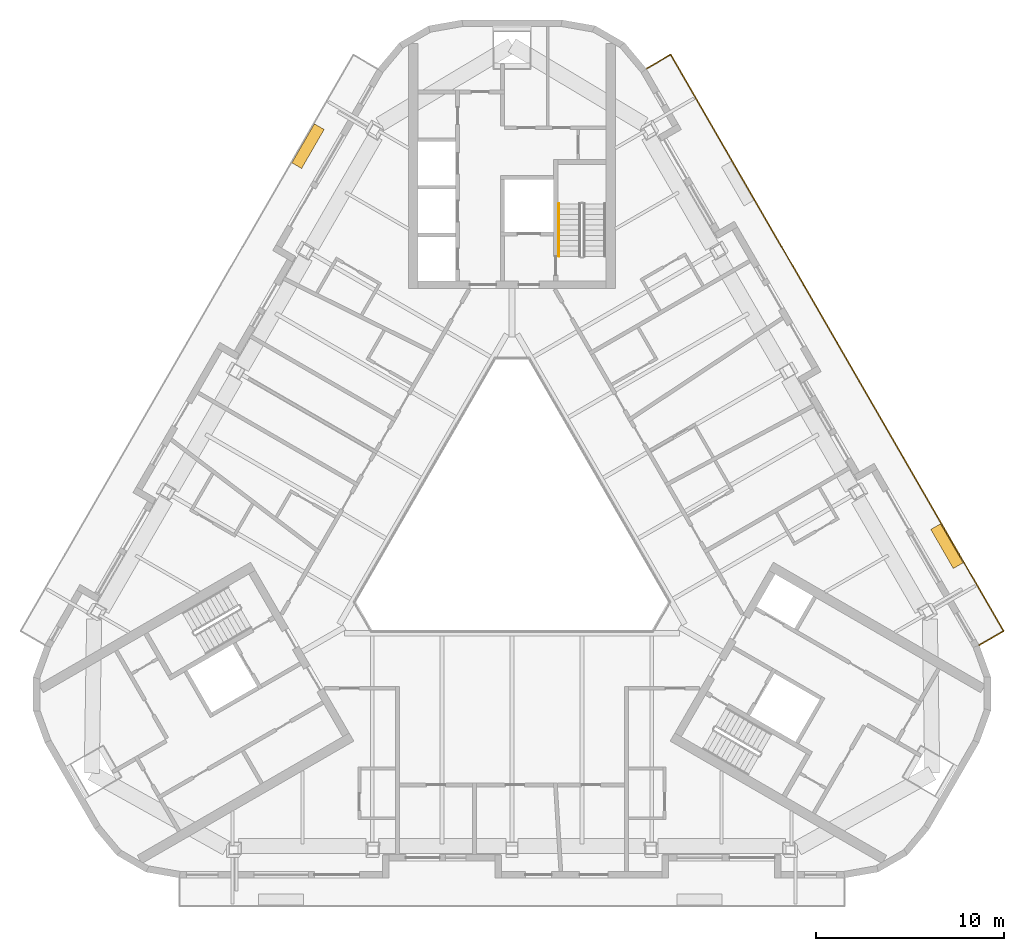
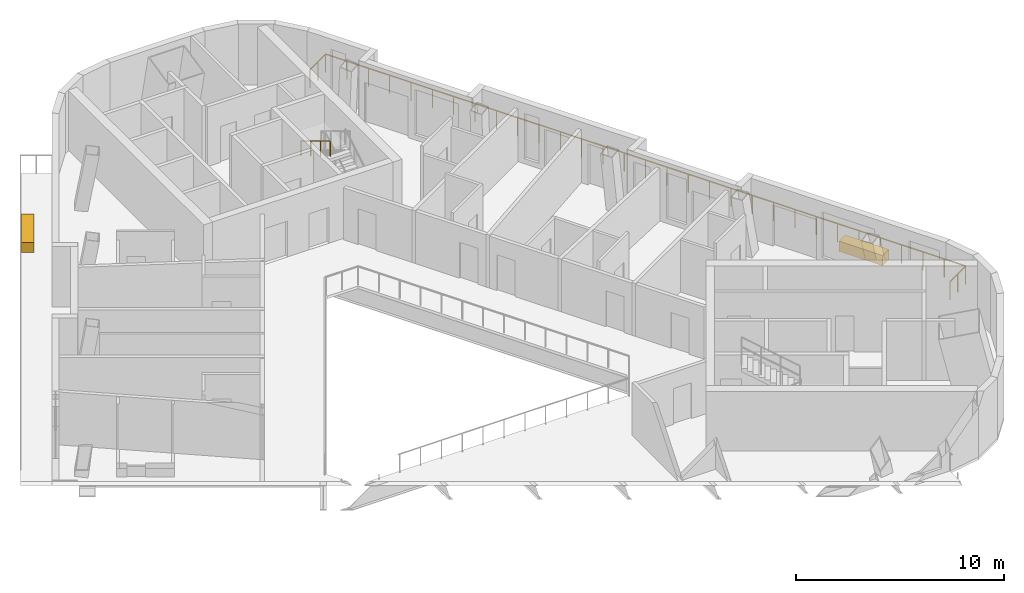
# One storey, part 12 of 13: 2 coverings, 2 railings.
"""IFC4 building model written with IfcOpenShell, lengths in metres."""

from ifc_helpers import new_model, si_unit, direction, frame, origin, origin_2d, place, context, subcontext, project, spatial, rectangle, circle, extrude, material, type_object, element, save


model = new_model("IFC4")

# Units and contexts
model_context = context("Model", 3, precision=1e-05, world=origin(), true_north=direction((0.0, 1.0)))
body_context = subcontext(model_context, "Body", "Model", "MODEL_VIEW")
ifc_project = project(units=[si_unit("LENGTHUNIT", "METRE"), si_unit("AREAUNIT", "SQUARE_METRE"), si_unit("VOLUMEUNIT", "CUBIC_METRE"), si_unit("PLANEANGLEUNIT", "RADIAN"), si_unit("MASSUNIT", "GRAM", prefix="KILO")], contexts=[model_context])

# Site, building, storey
site_placement = place(None, origin())
site = spatial("IfcSite", under=ifc_project, at=site_placement, CompositionType="ELEMENT")
building_placement = place(site_placement, origin())
building = spatial("IfcBuilding", under=site, at=building_placement, Name="Apuvela Tower Hotel", CompositionType="ELEMENT")
storey_placement = place(building_placement, frame((0.0, 0.0, 276.300048828125)))
storey = spatial("IfcBuildingStorey", under=building, at=storey_placement, Name="L68", CompositionType="ELEMENT", Elevation=276.300048828125)

# Railings
ifc_material_1 = material(Name="Stainless steel 316 handrail", Category="steel")
railing_type_1 = type_object("IfcRailingType", Name="COR-HANDRAIL-900", PredefinedType="HANDRAIL", material=ifc_material_1)
railing_1_placement = place(storey_placement, frame((2.5, 17.39990234375, 2.01806640625)))
element("IfcRailing", 1, at=railing_1_placement, inside=storey, type_object=railing_type_1, Name="L68 ST1 stair handrail 2", PredefinedType="HANDRAIL", context=body_context, shape_type="SweptSolid", body=[
    extrude(circle(Radius=0.02392578125, at=origin_2d()), frame((0.0, 0.0, 0.8759765625), z_axis=(0.0, -0.857222391501, 0.514946377315), x_axis=(1.0, 0.0, 0.0)), (0.0, 0.0, 1.0), 3.26611328125),
    extrude(rectangle(XDim=0.0419921875, YDim=0.0419921875, at=origin_2d()), origin(), (0.0, 0.0, 1.0), 0.851806640625),
    extrude(rectangle(XDim=0.0419921875, YDim=0.0419921875, at=origin_2d()), frame((0.0, -0.933349609375, 0.560546875)), (0.0, 0.0, 1.0), 0.851806640625),
    extrude(rectangle(XDim=0.0419921875, YDim=0.0419921875, at=origin_2d()), frame((0.0, -1.866455078125, 1.121337890625)), (0.0, 0.0, 1.0), 0.851806640625),
    extrude(rectangle(XDim=0.0419921875, YDim=0.0419921875, at=origin_2d()), frame((0.0, -2.7998046875, 1.681884765625)), (0.0, 0.0, 1.0), 0.851806640625),
])
ifc_material_2 = material(Name="Stainless steel 316 rail with laminated glass infill", Category="steel")
railing_type_2 = type_object("IfcRailingType", Name="ENV-GUARD-1100", PredefinedType="GUARDRAIL", material=ifc_material_2)
railing_2_placement = place(storey_placement, frame((24.882080078125, -6.105712890625, 0.0)))
element("IfcRailing", 2, at=railing_2_placement, inside=storey, type_object=railing_type_2, Name="Balcony guard NE L68", PredefinedType="GUARDRAIL", context=body_context, shape_type="SweptSolid", body=[
    extrude(rectangle(XDim=0.050048828125, YDim=0.050048828125, at=origin_2d()), frame((0.0, 0.0, 1.0751953125), z_axis=(0.866031096941, 0.499990139034, 0.0), x_axis=(-0.499990139034, 0.866031096941, 0.0)), (0.0, 0.0, 1.0), 1.5),
    extrude(rectangle(XDim=0.050048828125, YDim=0.050048828125, at=origin_2d()), frame((1.299072265625, 0.75, 1.0751953125), z_axis=(-0.500000994306, 0.866024829721, 0.0), x_axis=(-0.866024829721, -0.500000994306, 0.0)), (0.0, 0.0, 1.0), 35.45751953125),
    extrude(rectangle(XDim=0.050048828125, YDim=0.050048828125, at=origin_2d()), frame((-16.4296875, 31.45703125, 1.0751953125), z_axis=(-0.86599040064, -0.500060622324, 0.0), x_axis=(0.500060622324, -0.86599040064, 0.0)), (0.0, 0.0, 1.0), 1.499755859375),
    extrude(rectangle(XDim=0.0400390625, YDim=0.0400390625, at=origin_2d()), origin(), (0.0, 0.0, 1.0), 1.050048828125),
    extrude(rectangle(XDim=0.0400390625, YDim=0.0400390625, at=origin_2d()), frame((0.6494140625, 0.375, 0.0)), (0.0, 0.0, 1.0), 1.050048828125),
    extrude(rectangle(XDim=0.0400390625, YDim=0.0400390625, at=origin_2d()), frame((1.299072265625, 0.75, 0.0)), (0.0, 0.0, 1.0), 1.050048828125),
    extrude(rectangle(XDim=0.0400390625, YDim=0.0400390625, at=origin_2d()), frame((0.7080078125, 1.773681640625, 0.0)), (0.0, 0.0, 1.0), 1.050048828125),
    extrude(rectangle(XDim=0.0400390625, YDim=0.0400390625, at=origin_2d()), frame((0.1171875, 2.797119140625, 0.0)), (0.0, 0.0, 1.0), 1.050048828125),
    extrude(rectangle(XDim=0.0400390625, YDim=0.0400390625, at=origin_2d()), frame((-0.473876953125, 3.82080078125, 0.0)), (0.0, 0.0, 1.0), 1.050048828125),
    extrude(rectangle(XDim=0.0400390625, YDim=0.0400390625, at=origin_2d()), frame((-1.064697265625, 4.84423828125, 0.0)), (0.0, 0.0, 1.0), 1.050048828125),
    extrude(rectangle(XDim=0.0400390625, YDim=0.0400390625, at=origin_2d()), frame((-1.65576171875, 5.867919921875, 0.0)), (0.0, 0.0, 1.0), 1.050048828125),
    extrude(rectangle(XDim=0.0400390625, YDim=0.0400390625, at=origin_2d()), frame((-2.24658203125, 6.891357421875, 0.0)), (0.0, 0.0, 1.0), 1.050048828125),
    extrude(rectangle(XDim=0.0400390625, YDim=0.0400390625, at=origin_2d()), frame((-2.837646484375, 7.9150390625, 0.0)), (0.0, 0.0, 1.0), 1.050048828125),
    extrude(rectangle(XDim=0.0400390625, YDim=0.0400390625, at=origin_2d()), frame((-3.4287109375, 8.9384765625, 0.0)), (0.0, 0.0, 1.0), 1.050048828125),
    extrude(rectangle(XDim=0.0400390625, YDim=0.0400390625, at=origin_2d()), frame((-4.01953125, 9.962158203125, 0.0)), (0.0, 0.0, 1.0), 1.050048828125),
    extrude(rectangle(XDim=0.0400390625, YDim=0.0400390625, at=origin_2d()), frame((-4.610595703125, 10.985595703125, 0.0)), (0.0, 0.0, 1.0), 1.050048828125),
    extrude(rectangle(XDim=0.0400390625, YDim=0.0400390625, at=origin_2d()), frame((-5.201416015625, 12.00927734375, 0.0)), (0.0, 0.0, 1.0), 1.050048828125),
    extrude(rectangle(XDim=0.0400390625, YDim=0.0400390625, at=origin_2d()), frame((-5.79248046875, 13.03271484375, 0.0)), (0.0, 0.0, 1.0), 1.050048828125),
    extrude(rectangle(XDim=0.0400390625, YDim=0.0400390625, at=origin_2d()), frame((-6.38330078125, 14.056396484375, 0.0)), (0.0, 0.0, 1.0), 1.050048828125),
    extrude(rectangle(XDim=0.0400390625, YDim=0.0400390625, at=origin_2d()), frame((-6.974365234375, 15.079833984375, 0.0)), (0.0, 0.0, 1.0), 1.050048828125),
    extrude(rectangle(XDim=0.0400390625, YDim=0.0400390625, at=origin_2d()), frame((-7.5654296875, 16.103515625, 0.0)), (0.0, 0.0, 1.0), 1.050048828125),
    extrude(rectangle(XDim=0.0400390625, YDim=0.0400390625, at=origin_2d()), frame((-8.15625, 17.127197265625, 0.0)), (0.0, 0.0, 1.0), 1.050048828125),
    extrude(rectangle(XDim=0.0400390625, YDim=0.0400390625, at=origin_2d()), frame((-8.747314453125, 18.150634765625, 0.0)), (0.0, 0.0, 1.0), 1.050048828125),
    extrude(rectangle(XDim=0.0400390625, YDim=0.0400390625, at=origin_2d()), frame((-9.338134765625, 19.17431640625, 0.0)), (0.0, 0.0, 1.0), 1.050048828125),
    extrude(rectangle(XDim=0.0400390625, YDim=0.0400390625, at=origin_2d()), frame((-9.92919921875, 20.19775390625, 0.0)), (0.0, 0.0, 1.0), 1.050048828125),
    extrude(rectangle(XDim=0.0400390625, YDim=0.0400390625, at=origin_2d()), frame((-10.52001953125, 21.221435546875, 0.0)), (0.0, 0.0, 1.0), 1.050048828125),
    extrude(rectangle(XDim=0.0400390625, YDim=0.0400390625, at=origin_2d()), frame((-11.111083984375, 22.244873046875, 0.0)), (0.0, 0.0, 1.0), 1.050048828125),
    extrude(rectangle(XDim=0.0400390625, YDim=0.0400390625, at=origin_2d()), frame((-11.701904296875, 23.2685546875, 0.0)), (0.0, 0.0, 1.0), 1.050048828125),
    extrude(rectangle(XDim=0.0400390625, YDim=0.0400390625, at=origin_2d()), frame((-12.29296875, 24.2919921875, 0.0)), (0.0, 0.0, 1.0), 1.050048828125),
    extrude(rectangle(XDim=0.0400390625, YDim=0.0400390625, at=origin_2d()), frame((-12.884033203125, 25.315673828125, 0.0)), (0.0, 0.0, 1.0), 1.050048828125),
    extrude(rectangle(XDim=0.0400390625, YDim=0.0400390625, at=origin_2d()), frame((-13.474853515625, 26.339111328125, 0.0)), (0.0, 0.0, 1.0), 1.050048828125),
    extrude(rectangle(XDim=0.0400390625, YDim=0.0400390625, at=origin_2d()), frame((-14.06591796875, 27.36279296875, 0.0)), (0.0, 0.0, 1.0), 1.050048828125),
    extrude(rectangle(XDim=0.0400390625, YDim=0.0400390625, at=origin_2d()), frame((-14.65673828125, 28.38623046875, 0.0)), (0.0, 0.0, 1.0), 1.050048828125),
    extrude(rectangle(XDim=0.0400390625, YDim=0.0400390625, at=origin_2d()), frame((-15.247802734375, 29.409912109375, 0.0)), (0.0, 0.0, 1.0), 1.050048828125),
    extrude(rectangle(XDim=0.0400390625, YDim=0.0400390625, at=origin_2d()), frame((-15.838623046875, 30.433349609375, 0.0)), (0.0, 0.0, 1.0), 1.050048828125),
    extrude(rectangle(XDim=0.0400390625, YDim=0.0400390625, at=origin_2d()), frame((-16.4296875, 31.45703125, 0.0)), (0.0, 0.0, 1.0), 1.050048828125),
    extrude(rectangle(XDim=0.0400390625, YDim=0.0400390625, at=origin_2d()), frame((-17.0791015625, 31.08203125, 0.0)), (0.0, 0.0, 1.0), 1.050048828125),
    extrude(rectangle(XDim=0.0400390625, YDim=0.0400390625, at=origin_2d()), frame((-17.728515625, 30.70703125, 0.0)), (0.0, 0.0, 1.0), 1.050048828125),
])

# Coverings
ifc_material_3 = material(Name="Planting substrate and soil, planted")
covering_type = type_object("IfcCoveringType", Name="ENV-PLANTER-2400x600", PredefinedType="USERDEFINED", material=ifc_material_3)
for number, where, z_axis, x_axis, name in (
    (3, (23.16357421875, -0.828857421875, 0.0), (0.0, 0.0, 1.0), (-0.5, 0.866025403784, 0.0), "Planter NE3"),
    (4, (-10.864013671875, 20.474365234375, 0.0), (0.0, 0.0, 1.0), (-0.5, -0.866025403784, 0.0), "Planter NW5"),
):
    element("IfcCovering", number, at=place(storey_placement, frame(where, z_axis=z_axis, x_axis=x_axis)), inside=storey, type_object=covering_type, Name=name, ObjectType="PLANTER", PredefinedType="USERDEFINED", context=body_context, shape_type="SweptSolid", body=[
        extrude(rectangle(XDim=2.39990234375, YDim=0.60009765625, at=origin_2d()), origin(), (0.0, 0.0, 1.0), 0.60009765625),
    ])

save(model, "model.ifc")
